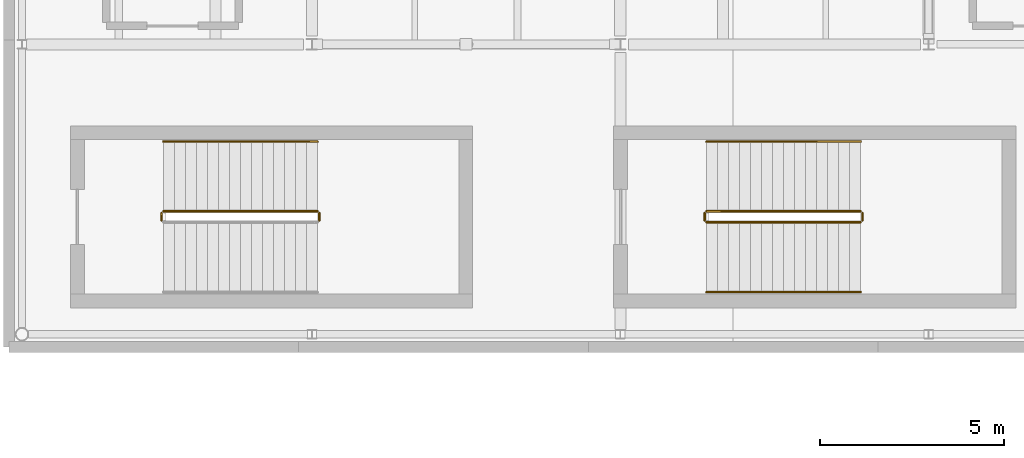
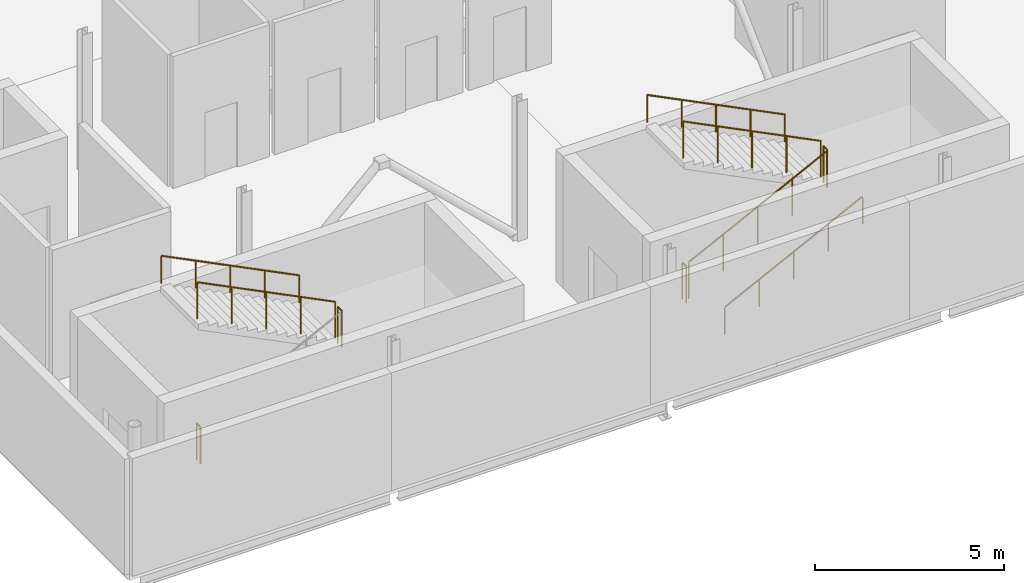
# One storey, part 37 of 40: 10 railings.
"""IFC4 building model written with IfcOpenShell, lengths in metres."""

import ifcopenshell
import ifcopenshell.guid

model = None  # the IFC model being written
_history = None  # IfcOwnerHistory: only IFC2X3 demands one
_inside = {}  # id of a spatial element -> (the spatial element, [elements in it])
_under = {}  # id of a project, library or spatial element -> (it, [spatial elements below it])
_declared = {}  # id of a project -> (the project, [libraries it declares])
_typed = {}  # id of a type object -> (the type object, [elements of that type])
_made_of = {}  # id of a material, layer set ... -> (it, [elements and type objects made of it])


def new_model(schema):
    """Start an empty IFC model of exactly this schema.

    Asked for "IFC4X3", IfcOpenShell would pick the latest addendum, in which some entities
    have other attributes; the version numbers below select the first issue.
    IFC2X3 requires an IfcOwnerHistory on every rooted entity: one is made here for all.
    """
    global model, _history
    if schema == "IFC4X3":
        model = ifcopenshell.file(schema_version=(4, 3, 0, 0))
    else:
        model = ifcopenshell.file(schema=schema)
    _inside.clear()
    _under.clear()
    _declared.clear()
    _typed.clear()
    _made_of.clear()
    _history = None
    if model.schema == "IFC2X3":
        org = make("IfcOrganization", Name="unknown")
        user = make(
            "IfcPersonAndOrganization",
            ThePerson=make("IfcPerson", FamilyName="unknown"),
            TheOrganization=org,
        )
        app = make(
            "IfcApplication",
            ApplicationDeveloper=org,
            Version="unknown",
            ApplicationFullName="unknown",
            ApplicationIdentifier="unknown",
        )
        _history = make(
            "IfcOwnerHistory",
            OwningUser=user,
            OwningApplication=app,
            ChangeAction="ADDED",
            CreationDate=0,
        )
    return model


def make(cls, **values):
    """One entity of the class cls with the attributes given. An attribute that is None is left unset."""
    return model.create_entity(
        cls, **{name: value for name, value in values.items() if value is not None}
    )


def rooted(cls, **values):
    """An entity with a GlobalId (a new one), such as an element, a storey or a relation."""
    return make(cls, GlobalId=ifcopenshell.guid.new(), OwnerHistory=_history, **values)


def si_unit(unit_type, name, prefix=None):
    """IfcSIUnit, for example si_unit("LENGTHUNIT", "METRE", prefix="MILLI")."""
    return make("IfcSIUnit", UnitType=unit_type, Prefix=prefix, Name=name)


def assignment(units):
    """IfcUnitAssignment: the units of a project."""
    return None if units is None else make("IfcUnitAssignment", Units=units)


def point(xyz):
    """IfcCartesianPoint."""
    return None if xyz is None else make("IfcCartesianPoint", Coordinates=xyz)


def direction(xyz):
    """IfcDirection."""
    return None if xyz is None else make("IfcDirection", DirectionRatios=xyz)


def frame(location, z_axis=None, x_axis=None):
    """IfcAxis2Placement3D, a coordinate frame: its origin and axes. An axis left out is left unset."""
    return make(
        "IfcAxis2Placement3D",
        Location=point(location),
        Axis=direction(z_axis),
        RefDirection=direction(x_axis),
    )


def frame_2d(location, x_axis=None):
    """IfcAxis2Placement2D, a coordinate frame in the plane: its origin and x axis."""
    return make(
        "IfcAxis2Placement2D", Location=point(location), RefDirection=direction(x_axis)
    )


def origin():
    """The frame at (0, 0, 0) with its axes left unset."""
    return frame((0.0, 0.0, 0.0))


def origin_2d():
    """The frame at (0, 0) in the plane with its x axis left unset."""
    return frame_2d((0.0, 0.0))


def place(relative_to, where):
    """IfcLocalPlacement: puts the frame where relative to a parent placement (None: the world)."""
    return make(
        "IfcLocalPlacement", PlacementRelTo=relative_to, RelativePlacement=where
    )


def context(
    kind, dimensions, precision=None, world=None, true_north=None, identifier=None
):
    """IfcGeometricRepresentationContext, for example the 3D "Model" context."""
    return make(
        "IfcGeometricRepresentationContext",
        ContextIdentifier=identifier,
        ContextType=kind,
        CoordinateSpaceDimension=dimensions,
        Precision=precision,
        WorldCoordinateSystem=world,
        TrueNorth=true_north,
    )


def subcontext(parent, identifier, kind, view, scale=None):
    """IfcGeometricRepresentationSubContext, for example "Body" below "Model"."""
    return make(
        "IfcGeometricRepresentationSubContext",
        ContextIdentifier=identifier,
        ContextType=kind,
        ParentContext=parent,
        TargetScale=scale,
        TargetView=view,
    )


def project(units=None, contexts=None):
    """IfcProject with its units and contexts."""
    return rooted(
        "IfcProject",
        Name="project",
        RepresentationContexts=contexts,
        UnitsInContext=assignment(units),
    )


def spatial(cls, under=None, at=None, **own):
    """A site, building, storey or space (cls), placed at a placement, below another one or the project."""
    s = rooted(cls, ObjectPlacement=at, **own)
    if under is not None:
        _under.setdefault(under.id(), (under, []))[1].append(s)
    return s


def profile(cls, at=None, kind="AREA", **sizes):
    """A parametric profile (cls). Its sizes go by their IFC names, for example OverallWidth=200.0."""
    return make(cls, ProfileType=kind, Position=at, **sizes)


def circle(**sizes):
    """IfcCircleProfileDef."""
    return profile("IfcCircleProfileDef", **sizes)


def extrude(swept, where, along, depth):
    """IfcExtrudedAreaSolid: the profile swept, set in the frame where, extruded along a direction by depth."""
    return make(
        "IfcExtrudedAreaSolid",
        SweptArea=swept,
        Position=where,
        ExtrudedDirection=direction(along),
        Depth=depth,
    )


def shape(context_of_items, identifier, shape_type, items):
    """IfcShapeRepresentation: the items that make up one representation, for example the "Body"."""
    return make(
        "IfcShapeRepresentation",
        ContextOfItems=context_of_items,
        RepresentationIdentifier=identifier,
        RepresentationType=shape_type,
        Items=items,
    )


def material(Name=None, Category=None):
    """IfcMaterial."""
    return make("IfcMaterial", Name=Name, Category=Category)


def made_of(thing, what):
    """Note that an element or type object is made of a material, layer set ...; save() writes the relation."""
    if what is not None:
        _made_of.setdefault(what.id(), (what, []))[1].append(thing)
    return thing


def type_object(cls, material=None, **own):
    """A type object (cls), such as IfcWallType, which elements share."""
    return made_of(rooted(cls, **own), material)


def element(
    cls,
    number,
    at=None,
    inside=None,
    cuts=None,
    type_object=None,
    material=None,
    context=None,
    identifier="Body",
    shape_type=None,
    held_by="IfcProductDefinitionShape",
    body=None,
    shapes=None,
    **own,
):
    """One element of the class cls, such as IfcWall. Its Tag is "e" and its number.

    at: its placement. inside: the storey or other place that contains it. cuts: it is an
    opening in that element (IfcRelVoidsElement). A single representation is given by context,
    identifier, shape_type and body (its items); several are given by shapes. held_by: the class
    of the entity that holds the representations. save() writes the other relations.
    """
    e = rooted(cls, Tag="e%d" % number, ObjectPlacement=at, **own)
    if body is not None:
        shapes = [shape(context, identifier, shape_type, body)]
    if shapes is not None:
        e.Representation = make(held_by, Representations=shapes)
    if inside is not None:
        _inside.setdefault(inside.id(), (inside, []))[1].append(e)
    if cuts is not None:
        rooted(
            "IfcRelVoidsElement", RelatingBuildingElement=cuts, RelatedOpeningElement=e
        )
    if type_object is not None:
        _typed.setdefault(type_object.id(), (type_object, []))[1].append(e)
    return made_of(e, material)


def aggregate(whole, parts):
    """IfcRelAggregates: a whole, such as a stair, and the parts it consists of."""
    return rooted("IfcRelAggregates", RelatingObject=whole, RelatedObjects=parts)


def save(model, path):
    """Write the relations noted so far, then the file.

    IfcRelAggregates (storeys below a building ...), IfcRelContainedInSpatialStructure (elements
    in a storey), IfcRelDefinesByType, IfcRelAssociatesMaterial and IfcRelDeclares: one each for
    every whole, place, type object, material and project.
    """
    for whole, parts in _under.values():
        aggregate(whole, parts)
    for where, things in _inside.values():
        rooted(
            "IfcRelContainedInSpatialStructure",
            RelatedElements=things,
            RelatingStructure=where,
        )
    for kind, things in _typed.values():
        rooted("IfcRelDefinesByType", RelatedObjects=things, RelatingType=kind)
    for what, things in _made_of.values():
        rooted("IfcRelAssociatesMaterial", RelatedObjects=things, RelatingMaterial=what)
    for by, libraries in _declared.values():
        rooted("IfcRelDeclares", RelatingContext=by, RelatedDefinitions=libraries)
    model.write(path)


model = new_model("IFC4")

# Units and contexts
model_context = context("Model", 3, precision=1e-05, world=origin(), true_north=direction((0.0, 1.0)))
body_context = subcontext(model_context, "Body", "Model", "MODEL_VIEW")
ifc_project = project(units=[si_unit("LENGTHUNIT", "METRE"), si_unit("AREAUNIT", "SQUARE_METRE"), si_unit("VOLUMEUNIT", "CUBIC_METRE"), si_unit("PLANEANGLEUNIT", "RADIAN"), si_unit("MASSUNIT", "GRAM", prefix="KILO"), si_unit("THERMODYNAMICTEMPERATUREUNIT", "KELVIN")], contexts=[model_context])

# Site, building, storey
site_placement = place(None, origin())
site = spatial("IfcSite", under=ifc_project, at=site_placement, CompositionType="ELEMENT")
building_placement = place(site_placement, origin())
building = spatial("IfcBuilding", under=site, at=building_placement, Name="Lustrewick Department Store", CompositionType="ELEMENT")
storey_placement = place(building_placement, frame((0.0, 0.0, 31.800048828125)))
storey = spatial("IfcBuildingStorey", under=building, at=storey_placement, Name="L07", CompositionType="ELEMENT", Elevation=31.800048828125)

# Railings
ifc_material_1 = material(Name="Painted tubular steel stairwell guardrail", Category="steel")
railing_type_1 = type_object("IfcRailingType", Name="RL-STG", PredefinedType="GUARDRAIL", material=ifc_material_1)
railing_1_placement = place(storey_placement, frame((117.800048828125, 54.0, 2.25)))
element("IfcRailing", 1, at=railing_1_placement, inside=storey, type_object=railing_type_1, Name="L07 ST09 Stair Guard 2", PredefinedType="GUARDRAIL", context=body_context, shape_type="SweptSolid", body=[
    extrude(circle(Radius=0.02392578125, at=origin_2d()), frame((0.0, 0.0, 1.17578125), z_axis=(0.0, 1.0, 0.0), x_axis=(-1.0, 0.0, 0.0)), (0.0, 0.0, 1.0), 0.199951171875),
    extrude(circle(Radius=0.02099609375, at=origin_2d()), origin(), (0.0, 0.0, 1.0), 1.15185546875),
    extrude(circle(Radius=0.02099609375, at=origin_2d()), frame((0.0, 0.199951171875, 0.0)), (0.0, 0.0, 1.0), 1.15185546875),
])
railing_2_placement = place(storey_placement, frame((117.75, 54.25, 2.39990234375)))
element("IfcRailing", 2, at=railing_2_placement, inside=storey, type_object=railing_type_1, Name="L07 ST09 Stair Guard 3", PredefinedType="GUARDRAIL", context=body_context, shape_type="SweptSolid", body=[
    extrude(circle(Radius=0.02392578125, at=origin_2d()), frame((0.0, 0.0, 1.17578125), z_axis=(-0.894416792377, 0.0, 0.447234392142), x_axis=(0.0, -1.0, 0.0)), (0.0, 0.0, 1.0), 4.69580078125),
    extrude(circle(Radius=0.02099609375, at=origin_2d()), origin(), (0.0, 0.0, 1.0), 1.15185546875),
    extrude(circle(Radius=0.02099609375, at=origin_2d()), frame((-1.050048828125, 0.0, 0.52490234375)), (0.0, 0.0, 1.0), 1.15185546875),
    extrude(circle(Radius=0.02099609375, at=origin_2d()), frame((-2.10009765625, 0.0, 1.050048828125)), (0.0, 0.0, 1.0), 1.15185546875),
    extrude(circle(Radius=0.02099609375, at=origin_2d()), frame((-3.14990234375, 0.0, 1.5751953125)), (0.0, 0.0, 1.0), 1.15185546875),
    extrude(circle(Radius=0.02099609375, at=origin_2d()), frame((-4.199951171875, 0.0, 2.10009765625)), (0.0, 0.0, 1.0), 1.15185546875),
])
railing_3_placement = place(storey_placement, frame((113.5, 54.0, 0.0)))
element("IfcRailing", 3, at=railing_3_placement, inside=storey, type_object=railing_type_1, Name="L07 ST09 Stair Guard 4", PredefinedType="GUARDRAIL", context=body_context, shape_type="SweptSolid", body=[
    extrude(circle(Radius=0.02392578125, at=origin_2d()), frame((0.0, 0.0, 1.17578125), z_axis=(0.0, 1.0, 0.0), x_axis=(-1.0, 0.0, 0.0)), (0.0, 0.0, 1.0), 0.199951171875),
    extrude(circle(Radius=0.02099609375, at=origin_2d()), origin(), (0.0, 0.0, 1.0), 1.15185546875),
    extrude(circle(Radius=0.02099609375, at=origin_2d()), frame((0.0, 0.199951171875, 0.0)), (0.0, 0.0, 1.0), 1.15185546875),
])
railing_4_placement = place(storey_placement, frame((128.35009765625, 53.949951171875, 0.14990234375)))
element("IfcRailing", 4, at=railing_4_placement, inside=storey, type_object=railing_type_1, Name="L07 ST11 Stair Guard 1", PredefinedType="GUARDRAIL", context=body_context, shape_type="SweptSolid", body=[
    extrude(circle(Radius=0.02392578125, at=origin_2d()), frame((0.0, 0.0, 1.17578125), z_axis=(0.894416792377, 0.0, 0.447234392142), x_axis=(0.0, 1.0, 0.0)), (0.0, 0.0, 1.0), 4.69580078125),
    extrude(circle(Radius=0.02099609375, at=origin_2d()), origin(), (0.0, 0.0, 1.0), 1.15185546875),
    extrude(circle(Radius=0.02099609375, at=origin_2d()), frame((1.050048828125, 0.0, 0.52490234375)), (0.0, 0.0, 1.0), 1.15185546875),
    extrude(circle(Radius=0.02099609375, at=origin_2d()), frame((2.10009765625, 0.0, 1.050048828125)), (0.0, 0.0, 1.0), 1.15185546875),
    extrude(circle(Radius=0.02099609375, at=origin_2d()), frame((3.14990234375, 0.0, 1.5751953125)), (0.0, 0.0, 1.0), 1.15185546875),
    extrude(circle(Radius=0.02099609375, at=origin_2d()), frame((4.199951171875, 0.0, 2.10009765625)), (0.0, 0.0, 1.0), 1.15185546875),
])
railing_5_placement = place(storey_placement, frame((132.60009765625, 54.0, 2.25)))
element("IfcRailing", 5, at=railing_5_placement, inside=storey, type_object=railing_type_1, Name="L07 ST11 Stair Guard 2", PredefinedType="GUARDRAIL", context=body_context, shape_type="SweptSolid", body=[
    extrude(circle(Radius=0.02392578125, at=origin_2d()), frame((0.0, 0.0, 1.17578125), z_axis=(0.0, 1.0, 0.0), x_axis=(-1.0, 0.0, 0.0)), (0.0, 0.0, 1.0), 0.199951171875),
    extrude(circle(Radius=0.02099609375, at=origin_2d()), origin(), (0.0, 0.0, 1.0), 1.15185546875),
    extrude(circle(Radius=0.02099609375, at=origin_2d()), frame((0.0, 0.199951171875, 0.0)), (0.0, 0.0, 1.0), 1.15185546875),
])
railing_6_placement = place(storey_placement, frame((132.550048828125, 54.25, 2.39990234375)))
element("IfcRailing", 6, at=railing_6_placement, inside=storey, type_object=railing_type_1, Name="L07 ST11 Stair Guard 3", PredefinedType="GUARDRAIL", context=body_context, shape_type="SweptSolid", body=[
    extrude(circle(Radius=0.02392578125, at=origin_2d()), frame((0.0, 0.0, 1.17578125), z_axis=(-0.894416792377, 0.0, 0.447234392142), x_axis=(0.0, -1.0, 0.0)), (0.0, 0.0, 1.0), 4.69580078125),
    extrude(circle(Radius=0.02099609375, at=origin_2d()), origin(), (0.0, 0.0, 1.0), 1.15185546875),
    extrude(circle(Radius=0.02099609375, at=origin_2d()), frame((-1.050048828125, 0.0, 0.52490234375)), (0.0, 0.0, 1.0), 1.15185546875),
    extrude(circle(Radius=0.02099609375, at=origin_2d()), frame((-2.10009765625, 0.0, 1.050048828125)), (0.0, 0.0, 1.0), 1.15185546875),
    extrude(circle(Radius=0.02099609375, at=origin_2d()), frame((-3.14990234375, 0.0, 1.5751953125)), (0.0, 0.0, 1.0), 1.15185546875),
    extrude(circle(Radius=0.02099609375, at=origin_2d()), frame((-4.199951171875, 0.0, 2.10009765625)), (0.0, 0.0, 1.0), 1.15185546875),
])
railing_7_placement = place(storey_placement, frame((128.300048828125, 54.0, 0.0)))
element("IfcRailing", 7, at=railing_7_placement, inside=storey, type_object=railing_type_1, Name="L07 ST11 Stair Guard 4", PredefinedType="GUARDRAIL", context=body_context, shape_type="SweptSolid", body=[
    extrude(circle(Radius=0.02392578125, at=origin_2d()), frame((0.0, 0.0, 1.17578125), z_axis=(0.0, 1.0, 0.0), x_axis=(-1.0, 0.0, 0.0)), (0.0, 0.0, 1.0), 0.199951171875),
    extrude(circle(Radius=0.02099609375, at=origin_2d()), origin(), (0.0, 0.0, 1.0), 1.15185546875),
    extrude(circle(Radius=0.02099609375, at=origin_2d()), frame((0.0, 0.199951171875, 0.0)), (0.0, 0.0, 1.0), 1.15185546875),
])
ifc_material_2 = material(Name="Brushed stainless steel wall handrail", Category="steel")
railing_type_2 = type_object("IfcRailingType", Name="RL-STH", PredefinedType="HANDRAIL", material=ifc_material_2)
railing_8_placement = place(storey_placement, frame((117.75, 56.14990234375, 2.39990234375)))
element("IfcRailing", 8, at=railing_8_placement, inside=storey, type_object=railing_type_2, Name="L07 ST09 Stair Handrail 2", PredefinedType="HANDRAIL", context=body_context, shape_type="SweptSolid", body=[
    extrude(circle(Radius=0.02392578125, at=origin_2d()), frame((0.0, 0.0, 0.8759765625), z_axis=(-0.894416792377, 0.0, 0.447234392142), x_axis=(0.0, -1.0, 0.0)), (0.0, 0.0, 1.0), 4.69580078125),
    extrude(circle(Radius=0.02099609375, at=origin_2d()), origin(), (0.0, 0.0, 1.0), 0.851806640625),
    extrude(circle(Radius=0.02099609375, at=origin_2d()), frame((-1.050048828125, 0.0, 0.52490234375)), (0.0, 0.0, 1.0), 0.851806640625),
    extrude(circle(Radius=0.02099609375, at=origin_2d()), frame((-2.10009765625, 0.0, 1.050048828125)), (0.0, 0.0, 1.0), 0.851806640625),
    extrude(circle(Radius=0.02099609375, at=origin_2d()), frame((-3.14990234375, 0.0, 1.5751953125)), (0.0, 0.0, 1.0), 0.851806640625),
    extrude(circle(Radius=0.02099609375, at=origin_2d()), frame((-4.199951171875, 0.0, 2.10009765625)), (0.0, 0.0, 1.0), 0.851806640625),
])
railing_9_placement = place(storey_placement, frame((128.35009765625, 52.050048828125, 0.14990234375)))
element("IfcRailing", 9, at=railing_9_placement, inside=storey, type_object=railing_type_2, Name="L07 ST11 Stair Handrail 1", PredefinedType="HANDRAIL", context=body_context, shape_type="SweptSolid", body=[
    extrude(circle(Radius=0.02392578125, at=origin_2d()), frame((0.0, 0.0, 0.8759765625), z_axis=(0.894416792377, 0.0, 0.447234392142), x_axis=(0.0, 1.0, 0.0)), (0.0, 0.0, 1.0), 4.69580078125),
    extrude(circle(Radius=0.02099609375, at=origin_2d()), origin(), (0.0, 0.0, 1.0), 0.851806640625),
    extrude(circle(Radius=0.02099609375, at=origin_2d()), frame((1.050048828125, 0.0, 0.52490234375)), (0.0, 0.0, 1.0), 0.851806640625),
    extrude(circle(Radius=0.02099609375, at=origin_2d()), frame((2.10009765625, 0.0, 1.050048828125)), (0.0, 0.0, 1.0), 0.851806640625),
    extrude(circle(Radius=0.02099609375, at=origin_2d()), frame((3.14990234375, 0.0, 1.5751953125)), (0.0, 0.0, 1.0), 0.851806640625),
    extrude(circle(Radius=0.02099609375, at=origin_2d()), frame((4.199951171875, 0.0, 2.10009765625)), (0.0, 0.0, 1.0), 0.851806640625),
])
railing_10_placement = place(storey_placement, frame((132.550048828125, 56.14990234375, 2.39990234375)))
element("IfcRailing", 10, at=railing_10_placement, inside=storey, type_object=railing_type_2, Name="L07 ST11 Stair Handrail 2", PredefinedType="HANDRAIL", context=body_context, shape_type="SweptSolid", body=[
    extrude(circle(Radius=0.02392578125, at=origin_2d()), frame((0.0, 0.0, 0.8759765625), z_axis=(-0.894416792377, 0.0, 0.447234392142), x_axis=(0.0, -1.0, 0.0)), (0.0, 0.0, 1.0), 4.69580078125),
    extrude(circle(Radius=0.02099609375, at=origin_2d()), origin(), (0.0, 0.0, 1.0), 0.851806640625),
    extrude(circle(Radius=0.02099609375, at=origin_2d()), frame((-1.050048828125, 0.0, 0.52490234375)), (0.0, 0.0, 1.0), 0.851806640625),
    extrude(circle(Radius=0.02099609375, at=origin_2d()), frame((-2.10009765625, 0.0, 1.050048828125)), (0.0, 0.0, 1.0), 0.851806640625),
    extrude(circle(Radius=0.02099609375, at=origin_2d()), frame((-3.14990234375, 0.0, 1.5751953125)), (0.0, 0.0, 1.0), 0.851806640625),
    extrude(circle(Radius=0.02099609375, at=origin_2d()), frame((-4.199951171875, 0.0, 2.10009765625)), (0.0, 0.0, 1.0), 0.851806640625),
])

save(model, "model.ifc")
